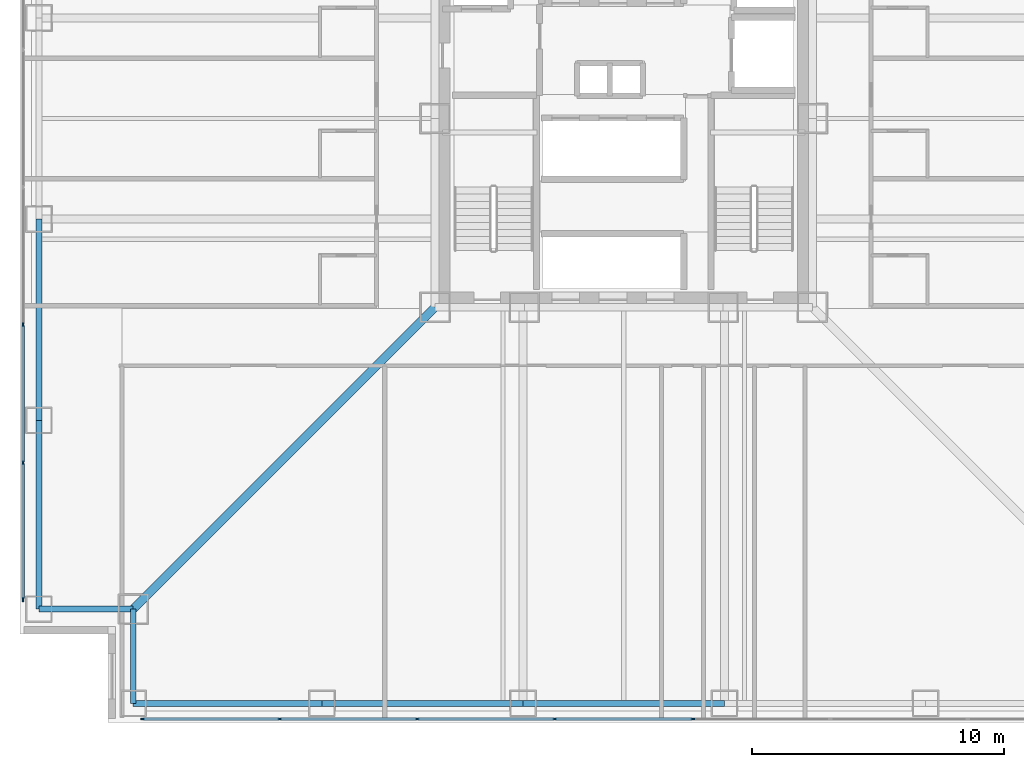
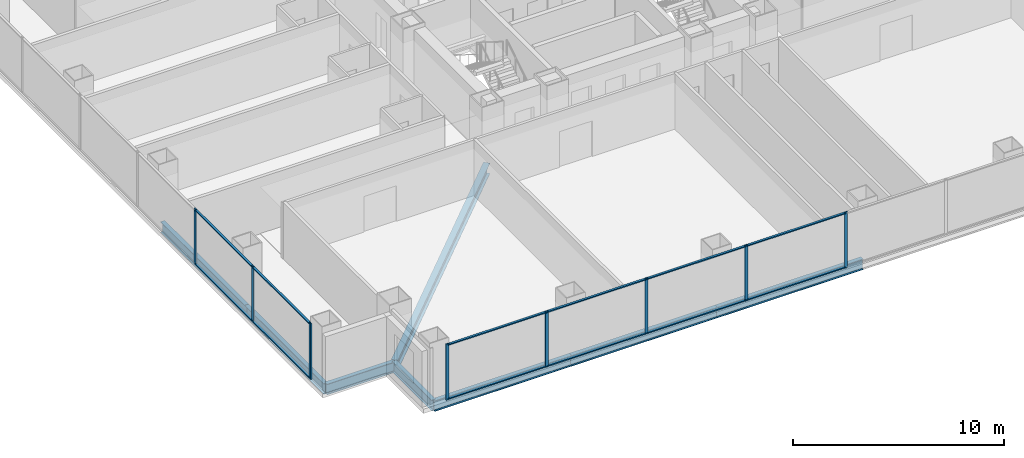
# One storey, part 2 of 16: 20 members, 8 beams, 2 elements without a shape of their own.
"""IFC4 building model written with IfcOpenShell, lengths in metres."""

from ifc_helpers import new_model, si_unit, direction, frame, origin, origin_2d, place, context, subcontext, project, spatial, rectangle, i_section, extrude, material, layer, layer_set, material_profile, profile_set, type_object, element, aggregate, save


model = new_model("IFC4")

# Units and contexts
model_context = context("Model", 3, precision=1e-05, world=origin(), true_north=direction((0.0, 1.0)))
body_context = subcontext(model_context, "Body", "Model", "MODEL_VIEW")
ifc_project = project(units=[si_unit("LENGTHUNIT", "METRE"), si_unit("AREAUNIT", "SQUARE_METRE"), si_unit("VOLUMEUNIT", "CUBIC_METRE"), si_unit("PLANEANGLEUNIT", "RADIAN"), si_unit("MASSUNIT", "GRAM", prefix="KILO")], contexts=[model_context])

# Site, building, storey
site_placement = place(None, origin())
site = spatial("IfcSite", under=ifc_project, at=site_placement, CompositionType="ELEMENT")
building_placement = place(site_placement, origin())
building = spatial("IfcBuilding", under=site, at=building_placement, Name="Trevonay Congress Spire", CompositionType="ELEMENT")
storey_placement = place(building_placement, frame((0.0, 0.0, 51.5)))
storey = spatial("IfcBuildingStorey", under=building, at=storey_placement, Name="L12", CompositionType="ELEMENT", Elevation=51.5)

# Beams
ifc_material_1 = material(Name="Steel ASTM A572 Grade 50", Category="steel")
ifc_material_profile_1 = material_profile(ifc_material_1, i_section(OverallWidth=0.324951171875, OverallDepth=0.615966796875, WebThickness=0.013916015625, FlangeThickness=0.021484375, FilletRadius=0.01806640625, at=origin_2d()), Name="W610x174")
ifc_profile_set_1 = profile_set([ifc_material_profile_1], Name="Steel ASTM A572 Grade 50")
beam_type_1 = type_object("IfcBeamType", Name="BM-GIRD-W610X174", PredefinedType="BEAM", material=ifc_profile_set_1)
beam_placement = place(storey_placement, frame((-7.5, -7.5, -0.55810546875), z_axis=(-0.707106781187, -0.707106781187, 0.0), x_axis=(0.707106781187, -0.707106781187, 0.0)))
element("IfcBeam", 1, at=beam_placement, inside=storey, type_object=beam_type_1, Name="L12 structural beam BM-L12-CDSW", PredefinedType="BEAM", context=body_context, shape_type="SweptSolid", body=[
    extrude(i_section(OverallWidth=0.324951171875, OverallDepth=0.615966796875, WebThickness=0.013916015625, FlangeThickness=0.021484375, FilletRadius=0.01806640625, at=origin_2d()), origin(), (0.0, 0.0, 1.0), 16.970458984375),
])
ifc_material_profile_2 = material_profile(ifc_material_1, i_section(OverallWidth=0.22998046875, OverallDepth=0.616943359375, WebThickness=0.01318359375, FlangeThickness=0.022216796875, FilletRadius=0.01611328125, at=origin_2d()), Name="W610x140")
ifc_profile_set_2 = profile_set([ifc_material_profile_2], Name="Steel ASTM A572 Grade 50")
beam_type_2 = type_object("IfcBeamType", Name="BM-RING-W610X140", PredefinedType="BEAM", material=ifc_profile_set_2)
for number, where, z_axis, x_axis, name in (
    (2, (-19.5, -23.25, -0.55859375), (1.0, 0.0, 0.0), (0.0, 1.0, 0.0), "L12 structural beam BM-L12-PS1"),
    (3, (-23.25, -19.5, -0.55859375), (0.0, 1.0, 0.0), (-1.0, 0.0, 0.0), "L12 structural beam BM-L12-PW1"),
):
    element("IfcBeam", number, at=place(storey_placement, frame(where, z_axis=z_axis, x_axis=x_axis)), inside=storey, type_object=beam_type_2, Name=name, PredefinedType="BEAM", context=body_context, shape_type="SweptSolid", body=[
        extrude(i_section(OverallWidth=0.22998046875, OverallDepth=0.616943359375, WebThickness=0.01318359375, FlangeThickness=0.022216796875, FilletRadius=0.01611328125, at=origin_2d()), origin(), (0.0, 0.0, 1.0), 7.5),
    ])
for number, where, z_axis, x_axis, name in (
    (4, (-12.0, -23.25, -0.55859375), (1.0, 0.0, 0.0), (0.0, 1.0, 0.0), "L12 structural beam BM-L12-PS2"),
    (5, (-23.25, -12.0, -0.55859375), (0.0, 1.0, 0.0), (-1.0, 0.0, 0.0), "L12 structural beam BM-L12-PW2"),
    (6, (-4.0, -23.25, -0.55859375), (1.0, 0.0, 0.0), (0.0, 1.0, 0.0), "L12 structural beam BM-L12-PS3"),
):
    element("IfcBeam", number, at=place(storey_placement, frame(where, z_axis=z_axis, x_axis=x_axis)), inside=storey, type_object=beam_type_2, Name=name, PredefinedType="BEAM", context=body_context, shape_type="SweptSolid", body=[
        extrude(i_section(OverallWidth=0.22998046875, OverallDepth=0.616943359375, WebThickness=0.01318359375, FlangeThickness=0.022216796875, FilletRadius=0.01611328125, at=origin_2d()), origin(), (0.0, 0.0, 1.0), 8.0),
    ])
for number, where, z_axis, x_axis, name in (
    (7, (-19.5, -23.25, -0.55859375), (0.0, 1.0, 0.0), (-1.0, 0.0, 0.0), "L12 structural beam BM-L12-N1SW"),
    (8, (-23.25, -19.5, -0.55859375), (1.0, 0.0, 0.0), (0.0, 1.0, 0.0), "L12 structural beam BM-L12-N2SW"),
):
    element("IfcBeam", number, at=place(storey_placement, frame(where, z_axis=z_axis, x_axis=x_axis)), inside=storey, type_object=beam_type_2, Name=name, PredefinedType="BEAM", context=body_context, shape_type="SweptSolid", body=[
        extrude(i_section(OverallWidth=0.22998046875, OverallDepth=0.616943359375, WebThickness=0.01318359375, FlangeThickness=0.022216796875, FilletRadius=0.01611328125, at=origin_2d()), origin(), (0.0, 0.0, 1.0), 3.75),
    ])

# Curtain wall, members
ifc_material_2 = material(Name="Pale Anodised Aluminium EN AW-6063-T6", Category="aluminium")
ifc_layer = layer(ifc_material_2, 0.179931640625, Name="Pale Anodised Aluminium EN AW-6063-T6")
ifc_layer_set = layer_set([ifc_layer], Name="Pale Anodised Aluminium EN AW-6063-T6")
curtain_wall_type = type_object("IfcCurtainWallType", Name="CW-SYS02-HOTEL-PALE-METAL", PredefinedType="NOTDEFINED", material=ifc_layer_set)
curtain_wall_1_placement = place(storey_placement, origin())
curtain_wall_1 = element("IfcCurtainWall", 9, at=curtain_wall_1_placement, inside=storey, type_object=curtain_wall_type, Name="L12 S unitised curtain wall", PredefinedType="NOTDEFINED")
ifc_material_profile_3 = material_profile(ifc_material_2, rectangle(XDim=0.06005859375, YDim=0.159912109375, at=origin_2d()), Name="CW-MULLION-160-ALUMINIUM")
ifc_profile_set_3 = profile_set([ifc_material_profile_3], Name="Pale Anodised Aluminium EN AW-6063-T6")
member_type_1 = type_object("IfcMemberType", Name="CW-MULLION-160-ALUMINIUM", PredefinedType="MULLION", material=ifc_profile_set_3)
member_1_placement = place(storey_placement, frame((-19.1201171875, -23.8798828125, 0.0), z_axis=(0.0, 0.0, 1.0), x_axis=(0.0, 1.0, 0.0)))
member_1 = element("IfcMember", 10, at=member_1_placement, type_object=member_type_1, Name="CW02 mullion 1", PredefinedType="MULLION", context=body_context, shape_type="SweptSolid", body=[
    extrude(rectangle(XDim=0.06005859375, YDim=0.159912109375, at=origin_2d()), origin(), (0.0, 0.0, 1.0), 3.25),
])
member_2_placement = place(storey_placement, frame((-13.678466796875, -23.8798828125, 0.0), z_axis=(0.0, 0.0, 1.0), x_axis=(0.0, 1.0, 0.0)))
member_2 = element("IfcMember", 11, at=member_2_placement, type_object=member_type_1, Name="CW02 mullion 2", PredefinedType="MULLION", context=body_context, shape_type="SweptSolid", body=[
    extrude(rectangle(XDim=0.06005859375, YDim=0.159912109375, at=origin_2d()), origin(), (0.0, 0.0, 1.0), 3.25),
])
member_3_placement = place(storey_placement, frame((-8.20703125, -23.8798828125, 0.0), z_axis=(0.0, 0.0, 1.0), x_axis=(0.0, 1.0, 0.0)))
member_3 = element("IfcMember", 12, at=member_3_placement, type_object=member_type_1, Name="CW02 mullion 3", PredefinedType="MULLION", context=body_context, shape_type="SweptSolid", body=[
    extrude(rectangle(XDim=0.06005859375, YDim=0.159912109375, at=origin_2d()), origin(), (0.0, 0.0, 1.0), 3.25),
])
member_4_placement = place(storey_placement, frame((-2.735595703125, -23.8798828125, 0.0), z_axis=(0.0, 0.0, 1.0), x_axis=(0.0, 1.0, 0.0)))
member_4 = element("IfcMember", 13, at=member_4_placement, type_object=member_type_1, Name="CW02 mullion 4", PredefinedType="MULLION", context=body_context, shape_type="SweptSolid", body=[
    extrude(rectangle(XDim=0.06005859375, YDim=0.159912109375, at=origin_2d()), origin(), (0.0, 0.0, 1.0), 3.25),
])
member_5_placement = place(storey_placement, frame((2.735595703125, -23.8798828125, 0.0), z_axis=(0.0, 0.0, 1.0), x_axis=(0.0, 1.0, 0.0)))
member_5 = element("IfcMember", 14, at=member_5_placement, type_object=member_type_1, Name="CW02 mullion 5", PredefinedType="MULLION", context=body_context, shape_type="SweptSolid", body=[
    extrude(rectangle(XDim=0.06005859375, YDim=0.159912109375, at=origin_2d()), origin(), (0.0, 0.0, 1.0), 3.25),
])

curtain_wall_2_placement = place(storey_placement, origin())
curtain_wall_2 = element("IfcCurtainWall", 15, at=curtain_wall_2_placement, inside=storey, type_object=curtain_wall_type, Name="L12 W unitised curtain wall", PredefinedType="NOTDEFINED")
member_6_placement = place(storey_placement, frame((-23.8798828125, -19.1201171875, 0.0), z_axis=(0.0, 0.0, 1.0), x_axis=(-1.0, 0.0, 0.0)))
member_6 = element("IfcMember", 16, at=member_6_placement, type_object=member_type_1, Name="CW02 mullion 1", PredefinedType="MULLION", context=body_context, shape_type="SweptSolid", body=[
    extrude(rectangle(XDim=0.06005859375, YDim=0.159912109375, at=origin_2d()), origin(), (0.0, 0.0, 1.0), 3.25),
])
member_7_placement = place(storey_placement, frame((-23.8798828125, -13.678466796875, 0.0), z_axis=(0.0, 0.0, 1.0), x_axis=(-1.0, 0.0, 0.0)))
member_7 = element("IfcMember", 17, at=member_7_placement, type_object=member_type_1, Name="CW02 mullion 2", PredefinedType="MULLION", context=body_context, shape_type="SweptSolid", body=[
    extrude(rectangle(XDim=0.06005859375, YDim=0.159912109375, at=origin_2d()), origin(), (0.0, 0.0, 1.0), 3.25),
])
member_8_placement = place(storey_placement, frame((-23.8798828125, -8.20703125, 0.0), z_axis=(0.0, 0.0, 1.0), x_axis=(-1.0, 0.0, 0.0)))
member_8 = element("IfcMember", 18, at=member_8_placement, type_object=member_type_1, Name="CW02 mullion 3", PredefinedType="MULLION", context=body_context, shape_type="SweptSolid", body=[
    extrude(rectangle(XDim=0.06005859375, YDim=0.159912109375, at=origin_2d()), origin(), (0.0, 0.0, 1.0), 3.25),
])

# Member
ifc_material_profile_4 = material_profile(ifc_material_2, rectangle(XDim=0.1201171875, YDim=0.06005859375, at=origin_2d()), Name="CW-TRANSOM-120-ALUMINIUM")
ifc_profile_set_4 = profile_set([ifc_material_profile_4], Name="Pale Anodised Aluminium EN AW-6063-T6")
member_type_2 = type_object("IfcMemberType", Name="CW-TRANSOM-120-ALUMINIUM", PredefinedType="USERDEFINED", material=ifc_profile_set_4)
member_9_placement = place(storey_placement, frame((-19.090087890625, -23.8798828125, 0.06005859375), z_axis=(1.0, 0.0, 0.0), x_axis=(0.0, 1.0, 0.0)))
member_9 = element("IfcMember", 19, at=member_9_placement, type_object=member_type_2, Name="CW02 transom 1.1", ObjectType="TRANSOM", PredefinedType="USERDEFINED", context=body_context, shape_type="SweptSolid", body=[
    extrude(rectangle(XDim=0.1201171875, YDim=0.06005859375, at=origin_2d()), origin(), (0.0, 0.0, 1.0), 5.381591796875),
])

member_10_placement = place(storey_placement, frame((-19.090087890625, -23.8798828125, 3.18994140625), z_axis=(1.0, 0.0, 0.0), x_axis=(0.0, 1.0, 0.0)))
member_10 = element("IfcMember", 20, at=member_10_placement, type_object=member_type_2, Name="CW02 transom 1.2", ObjectType="TRANSOM", PredefinedType="USERDEFINED", context=body_context, shape_type="SweptSolid", body=[
    extrude(rectangle(XDim=0.1201171875, YDim=0.06005859375, at=origin_2d()), origin(), (0.0, 0.0, 1.0), 5.381591796875),
])

member_11_placement = place(storey_placement, frame((-13.648681640625, -23.8798828125, 0.06005859375), z_axis=(1.0, 0.0, 0.0), x_axis=(0.0, 1.0, 0.0)))
member_11 = element("IfcMember", 21, at=member_11_placement, type_object=member_type_2, Name="CW02 transom 2.1", ObjectType="TRANSOM", PredefinedType="USERDEFINED", context=body_context, shape_type="SweptSolid", body=[
    extrude(rectangle(XDim=0.1201171875, YDim=0.06005859375, at=origin_2d()), origin(), (0.0, 0.0, 1.0), 5.41162109375),
])

member_12_placement = place(storey_placement, frame((-13.648681640625, -23.8798828125, 3.18994140625), z_axis=(1.0, 0.0, 0.0), x_axis=(0.0, 1.0, 0.0)))
member_12 = element("IfcMember", 22, at=member_12_placement, type_object=member_type_2, Name="CW02 transom 2.2", ObjectType="TRANSOM", PredefinedType="USERDEFINED", context=body_context, shape_type="SweptSolid", body=[
    extrude(rectangle(XDim=0.1201171875, YDim=0.06005859375, at=origin_2d()), origin(), (0.0, 0.0, 1.0), 5.41162109375),
])

member_13_placement = place(storey_placement, frame((-8.17724609375, -23.8798828125, 0.06005859375), z_axis=(1.0, 0.0, 0.0), x_axis=(0.0, 1.0, 0.0)))
member_13 = element("IfcMember", 23, at=member_13_placement, type_object=member_type_2, Name="CW02 transom 3.1", ObjectType="TRANSOM", PredefinedType="USERDEFINED", context=body_context, shape_type="SweptSolid", body=[
    extrude(rectangle(XDim=0.1201171875, YDim=0.06005859375, at=origin_2d()), origin(), (0.0, 0.0, 1.0), 5.41162109375),
])

member_14_placement = place(storey_placement, frame((-8.17724609375, -23.8798828125, 3.18994140625), z_axis=(1.0, 0.0, 0.0), x_axis=(0.0, 1.0, 0.0)))
member_14 = element("IfcMember", 24, at=member_14_placement, type_object=member_type_2, Name="CW02 transom 3.2", ObjectType="TRANSOM", PredefinedType="USERDEFINED", context=body_context, shape_type="SweptSolid", body=[
    extrude(rectangle(XDim=0.1201171875, YDim=0.06005859375, at=origin_2d()), origin(), (0.0, 0.0, 1.0), 5.41162109375),
])

member_15_placement = place(storey_placement, frame((-2.705810546875, -23.8798828125, 0.06005859375), z_axis=(1.0, 0.0, 0.0), x_axis=(0.0, 1.0, 0.0)))
member_15 = element("IfcMember", 25, at=member_15_placement, type_object=member_type_2, Name="CW02 transom 4.1", ObjectType="TRANSOM", PredefinedType="USERDEFINED", context=body_context, shape_type="SweptSolid", body=[
    extrude(rectangle(XDim=0.1201171875, YDim=0.06005859375, at=origin_2d()), origin(), (0.0, 0.0, 1.0), 5.41162109375),
])

member_16_placement = place(storey_placement, frame((-2.705810546875, -23.8798828125, 3.18994140625), z_axis=(1.0, 0.0, 0.0), x_axis=(0.0, 1.0, 0.0)))
member_16 = element("IfcMember", 26, at=member_16_placement, type_object=member_type_2, Name="CW02 transom 4.2", ObjectType="TRANSOM", PredefinedType="USERDEFINED", context=body_context, shape_type="SweptSolid", body=[
    extrude(rectangle(XDim=0.1201171875, YDim=0.06005859375, at=origin_2d()), origin(), (0.0, 0.0, 1.0), 5.41162109375),
])

aggregate(curtain_wall_1, [member_1, member_2, member_3, member_4, member_5, member_9, member_10, member_11, member_12, member_13, member_14, member_15, member_16])

member_17_placement = place(storey_placement, frame((-23.8798828125, -19.090087890625, 0.06005859375), z_axis=(0.0, 1.0, 0.0), x_axis=(-1.0, 0.0, 0.0)))
member_17 = element("IfcMember", 27, at=member_17_placement, type_object=member_type_2, Name="CW02 transom 1.1", ObjectType="TRANSOM", PredefinedType="USERDEFINED", context=body_context, shape_type="SweptSolid", body=[
    extrude(rectangle(XDim=0.1201171875, YDim=0.06005859375, at=origin_2d()), origin(), (0.0, 0.0, 1.0), 5.381591796875),
])

member_18_placement = place(storey_placement, frame((-23.8798828125, -19.090087890625, 3.18994140625), z_axis=(0.0, 1.0, 0.0), x_axis=(-1.0, 0.0, 0.0)))
member_18 = element("IfcMember", 28, at=member_18_placement, type_object=member_type_2, Name="CW02 transom 1.2", ObjectType="TRANSOM", PredefinedType="USERDEFINED", context=body_context, shape_type="SweptSolid", body=[
    extrude(rectangle(XDim=0.1201171875, YDim=0.06005859375, at=origin_2d()), origin(), (0.0, 0.0, 1.0), 5.381591796875),
])

member_19_placement = place(storey_placement, frame((-23.8798828125, -13.648681640625, 0.06005859375), z_axis=(0.0, 1.0, 0.0), x_axis=(-1.0, 0.0, 0.0)))
member_19 = element("IfcMember", 29, at=member_19_placement, type_object=member_type_2, Name="CW02 transom 2.1", ObjectType="TRANSOM", PredefinedType="USERDEFINED", context=body_context, shape_type="SweptSolid", body=[
    extrude(rectangle(XDim=0.1201171875, YDim=0.06005859375, at=origin_2d()), origin(), (0.0, 0.0, 1.0), 5.41162109375),
])

member_20_placement = place(storey_placement, frame((-23.8798828125, -13.648681640625, 3.18994140625), z_axis=(0.0, 1.0, 0.0), x_axis=(-1.0, 0.0, 0.0)))
member_20 = element("IfcMember", 30, at=member_20_placement, type_object=member_type_2, Name="CW02 transom 2.2", ObjectType="TRANSOM", PredefinedType="USERDEFINED", context=body_context, shape_type="SweptSolid", body=[
    extrude(rectangle(XDim=0.1201171875, YDim=0.06005859375, at=origin_2d()), origin(), (0.0, 0.0, 1.0), 5.41162109375),
])

aggregate(curtain_wall_2, [member_6, member_7, member_8, member_17, member_18, member_19, member_20])

save(model, "model.ifc")
